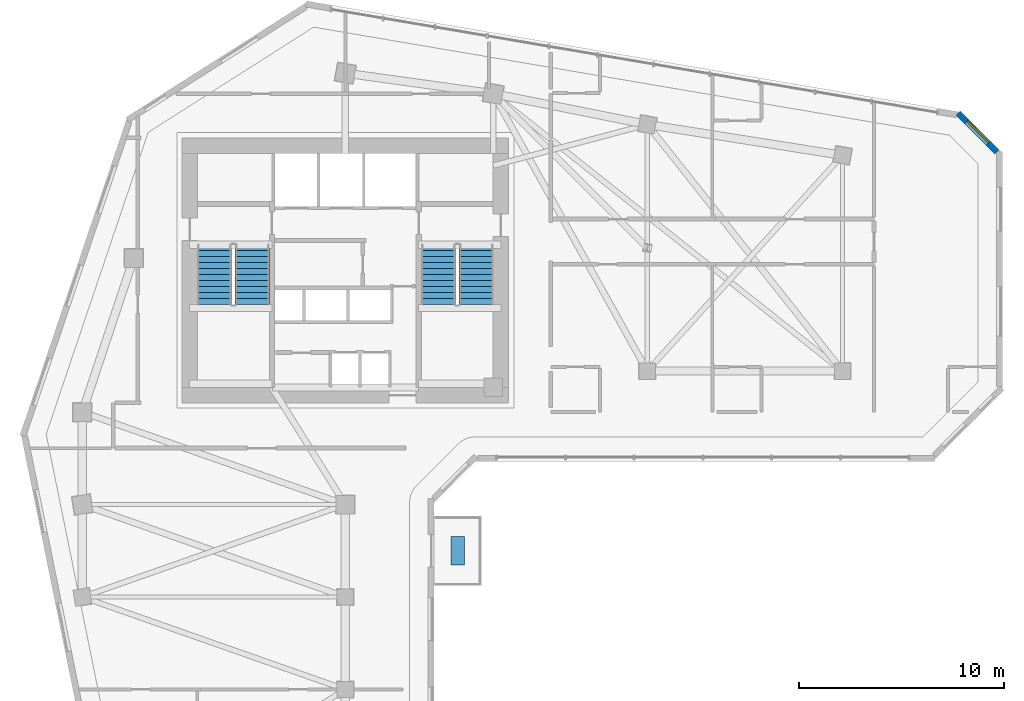
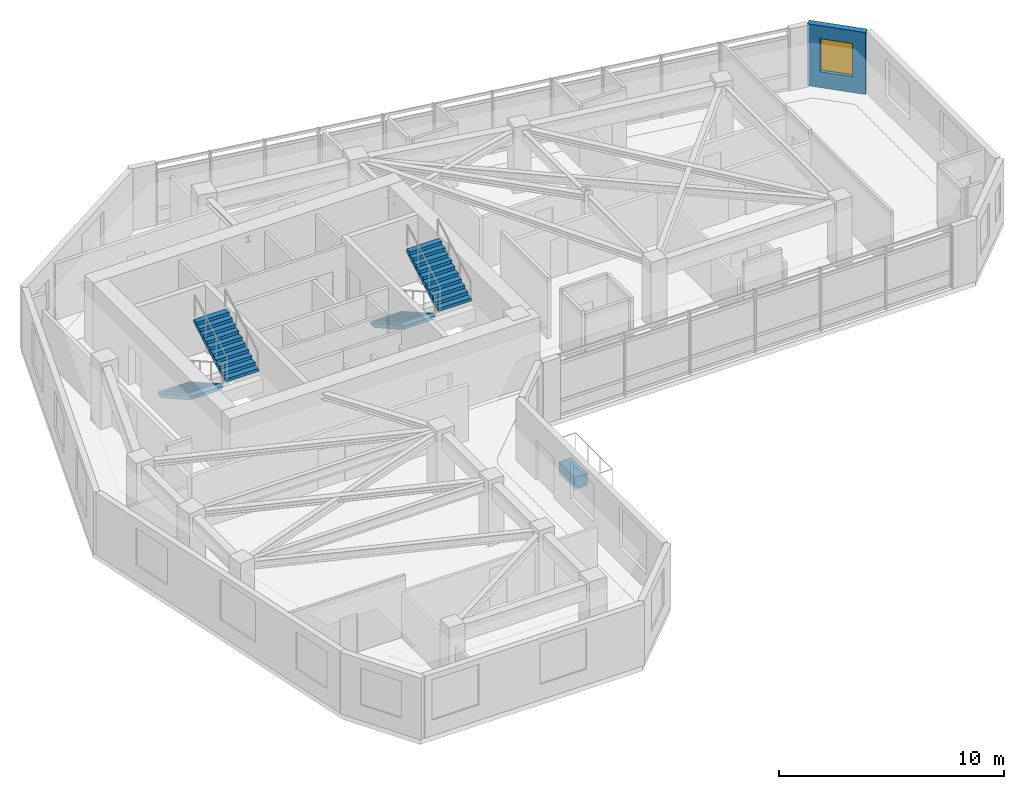
# One storey, part 7 of 10: 4 stair flights, 1 discrete accessory, 1 wall, 1 window, 1 opening, 2 elements without a shape of their own.
"""IFC4 building model written with IfcOpenShell, lengths in metres."""

from ifc_helpers import new_model, si_unit, direction, frame, frame_2d, origin, origin_2d, place, context, subcontext, project, spatial, polyline, rectangle, outline, extrude, source, transform, mapped, material, layer, layer_set, type_object, element, fill, aggregate, save


model = new_model("IFC4")

# Units and contexts
model_context = context("Model", 3, precision=1e-05, world=origin(), true_north=direction((0.0, 1.0)))
body_context = subcontext(model_context, "Body", "Model", "MODEL_VIEW")
ifc_project = project(units=[si_unit("LENGTHUNIT", "METRE"), si_unit("AREAUNIT", "SQUARE_METRE"), si_unit("VOLUMEUNIT", "CUBIC_METRE"), si_unit("PLANEANGLEUNIT", "RADIAN"), si_unit("MASSUNIT", "GRAM", prefix="KILO")], contexts=[model_context])

# Site, building, storey
site_placement = place(None, origin())
site = spatial("IfcSite", under=ifc_project, at=site_placement, CompositionType="ELEMENT")
building_placement = place(site_placement, origin())
building = spatial("IfcBuilding", under=site, at=building_placement, Name="Calvemar Wedge Station Tower", CompositionType="ELEMENT")
storey_placement = place(building_placement, frame((0.0, 0.0, 153.800048828125)))
storey = spatial("IfcBuildingStorey", under=building, at=storey_placement, Name="L38", CompositionType="ELEMENT", Elevation=153.800048828125)

# Wall, opening, window
ifc_material_1 = material(Name="Precast concrete C45", Category="concrete")
ifc_layer = layer(ifc_material_1, 0.300048828125)
ifc_layer_set = layer_set([ifc_layer], Name="Precast concrete C45")
wall_type = type_object("IfcWallType", Name="W-EXT-GFRC-300", PredefinedType="SOLIDWALL", material=ifc_layer_set)
wall_placement = place(storey_placement, frame((55.511962890625, 45.66796875, 0.0), z_axis=(0.0, 0.0, 1.0), x_axis=(-0.707152443695, 0.707061115729, 0.0)))
wall = element("IfcWall", 1, at=wall_placement, inside=storey, type_object=wall_type, Name="Storey L38 Bronze GFRC Exterior Wall 9", PredefinedType="SOLIDWALL", context=body_context, shape_type="SweptSolid", body=[
    extrude(rectangle(XDim=2.67333984375, YDim=0.300048828125, at=frame_2d((1.336669921875, 0.0))), origin(), (0.0, 0.0, 1.0), 3.349853515625),
])
shared_shape_1 = source(origin(), body_context, "Body", "SweptSolid", [
    extrude(rectangle(XDim=1.5, YDim=1.800048828125, at=frame_2d((0.75, 0.89990234375))), frame((0.0, 0.16015625, 0.0), z_axis=(0.0, -1.0, 0.0), x_axis=(1.0, 0.0, 0.0)), (0.0, 0.0, 1.0), 0.320068359375),
])
opening_placement = place(wall_placement, frame((0.5869140625, 0.0, 0.85009765625)))
opening = element("IfcOpeningElement", 2, at=opening_placement, cuts=wall, Name="Opening W3", PredefinedType="OPENING", context=body_context, shape_type="MappedRepresentation", body=[
    mapped(shared_shape_1, transform((0.0, 0.0, 0.0), scale=1.0)),
])
ifc_material_2 = material(Name="Low-E laminated insulated glass", Category="glass")
window_type = type_object("IfcWindowType", Name="WIN-EXT-3", PartitioningType="SINGLE_PANEL", PredefinedType="WINDOW", material=ifc_material_2)
shared_shape_2 = source(origin(), body_context, "Body", "SweptSolid", [
    extrude(rectangle(XDim=1.5, YDim=1.800048828125, at=frame_2d((0.75, 0.89990234375))), frame((0.0, -0.014892578125, 0.0), z_axis=(0.0, -1.0, 0.0), x_axis=(1.0, 0.0, 0.0)), (0.0, 0.0, 1.0), 0.06005859375),
])
window_placement = place(opening_placement, origin())
window = element("IfcWindow", 3, at=window_placement, inside=storey, type_object=window_type, Name="Storey L38 Recessed Window 9.1", OverallHeight=1.800048828125, OverallWidth=1.5, PartitioningType="SINGLE_PANEL", PredefinedType="WINDOW", context=body_context, shape_type="MappedRepresentation", body=[
    mapped(shared_shape_2, transform((0.0, 0.0, 0.0), scale=1.0)),
])
fill(opening, window)

# Stair, stair flights
ifc_material_3 = material(Name="Concrete C45", Category="concrete")
stair_type = type_object("IfcStairType", Name="ST-TYPE-3600", PredefinedType="HALF_TURN_STAIR", material=ifc_material_3)
stair_1_placement = place(storey_placement, origin())
stair_1 = element("IfcStair", 4, at=stair_1_placement, inside=storey, type_object=stair_type, Name="L38 Pressurized Core Exit Stair ST-C1", PredefinedType="HALF_TURN_STAIR")
stair_flight_type = type_object("IfcStairFlightType", Name="STF-TYPE-3600", PredefinedType="STRAIGHT", material=ifc_material_3)
stair_flight_1_placement = place(storey_placement, frame((17.429931640625, 41.14990234375, 0.0), z_axis=(0.0, 0.0, 1.0), x_axis=(0.0, -1.0, 0.0)))
stair_flight_1 = element("IfcStairFlight", 5, at=stair_flight_1_placement, type_object=stair_flight_type, Name="ST-C1 flight 1", NumberOfRisers=11, NumberOfTreads=10, PredefinedType="STRAIGHT", RiserHeight=0.163636364, TreadLength=0.29, context=body_context, shape_type="SweptSolid", body=[
    extrude(outline(polyline([(0.0, 0.0), (0.0, 0.16357421875), (0.2900390625, 0.16357421875), (0.2900390625, 0.327392578125), (0.580078125, 0.327392578125), (0.580078125, 0.490966796875), (0.8701171875, 0.490966796875), (0.8701171875, 0.654541015625), (1.159912109375, 0.654541015625), (1.159912109375, 0.818115234375), (1.449951171875, 0.818115234375), (1.449951171875, 0.98193359375), (1.739990234375, 0.98193359375), (1.739990234375, 1.1455078125), (2.030029296875, 1.1455078125), (2.030029296875, 1.30908203125), (2.320068359375, 1.30908203125), (2.320068359375, 1.47265625), (2.610107421875, 1.47265625), (2.610107421875, 1.636474609375), (2.89990234375, 1.636474609375), (2.89990234375, 1.800048828125), (2.89990234375, 1.46435546875), (0.304931640625, 0.0), (0.0, 0.0)])), frame((0.0, 0.830078125, 0.0), z_axis=(0.0, -1.0, 0.0), x_axis=(1.0, 0.0, 0.0)), (0.0, 0.0, 1.0), 1.659912109375),
])
stair_flight_2_placement = place(storey_placement, frame((19.27001953125, 38.25, 1.800048828125), z_axis=(0.0, 0.0, 1.0), x_axis=(0.0, 1.0, 0.0)))
stair_flight_2 = element("IfcStairFlight", 6, at=stair_flight_2_placement, type_object=stair_flight_type, Name="ST-C1 flight 2", NumberOfRisers=11, NumberOfTreads=10, PredefinedType="STRAIGHT", RiserHeight=0.163636364, TreadLength=0.29, context=body_context, shape_type="SweptSolid", body=[
    extrude(outline(polyline([(0.0, 0.0), (0.0, 0.16357421875), (0.2900390625, 0.16357421875), (0.2900390625, 0.327392578125), (0.580078125, 0.327392578125), (0.580078125, 0.490966796875), (0.8701171875, 0.490966796875), (0.8701171875, 0.654541015625), (1.159912109375, 0.654541015625), (1.159912109375, 0.818115234375), (1.449951171875, 0.818115234375), (1.449951171875, 0.98193359375), (1.739990234375, 0.98193359375), (1.739990234375, 1.1455078125), (2.030029296875, 1.1455078125), (2.030029296875, 1.30908203125), (2.320068359375, 1.30908203125), (2.320068359375, 1.47265625), (2.610107421875, 1.47265625), (2.610107421875, 1.636474609375), (2.89990234375, 1.636474609375), (2.89990234375, 1.800048828125), (2.89990234375, 1.46435546875), (0.304931640625, 0.0), (0.0, 0.0)])), frame((0.0, 0.830078125, 0.0), z_axis=(0.0, -1.0, 0.0), x_axis=(1.0, 0.0, 0.0)), (0.0, 0.0, 1.0), 1.659912109375),
])
aggregate(stair_1, [stair_flight_1, stair_flight_2])

stair_2_placement = place(storey_placement, origin())
stair_2 = element("IfcStair", 7, at=stair_2_placement, inside=storey, type_object=stair_type, Name="L38 Pressurized Core Exit Stair ST-C2", PredefinedType="HALF_TURN_STAIR")
stair_flight_3_placement = place(storey_placement, frame((28.330078125, 41.14990234375, 0.0), z_axis=(0.0, 0.0, 1.0), x_axis=(0.0, -1.0, 0.0)))
stair_flight_3 = element("IfcStairFlight", 8, at=stair_flight_3_placement, type_object=stair_flight_type, Name="ST-C2 flight 1", NumberOfRisers=11, NumberOfTreads=10, PredefinedType="STRAIGHT", RiserHeight=0.163636364, TreadLength=0.29, context=body_context, shape_type="SweptSolid", body=[
    extrude(outline(polyline([(0.0, 0.0), (0.0, 0.16357421875), (0.2900390625, 0.16357421875), (0.2900390625, 0.327392578125), (0.580078125, 0.327392578125), (0.580078125, 0.490966796875), (0.8701171875, 0.490966796875), (0.8701171875, 0.654541015625), (1.159912109375, 0.654541015625), (1.159912109375, 0.818115234375), (1.449951171875, 0.818115234375), (1.449951171875, 0.98193359375), (1.739990234375, 0.98193359375), (1.739990234375, 1.1455078125), (2.030029296875, 1.1455078125), (2.030029296875, 1.30908203125), (2.320068359375, 1.30908203125), (2.320068359375, 1.47265625), (2.610107421875, 1.47265625), (2.610107421875, 1.636474609375), (2.89990234375, 1.636474609375), (2.89990234375, 1.800048828125), (2.89990234375, 1.46435546875), (0.304931640625, 0.0), (0.0, 0.0)])), frame((0.0, 0.830078125, 0.0), z_axis=(0.0, -1.0, 0.0), x_axis=(1.0, 0.0, 0.0)), (0.0, 0.0, 1.0), 1.659912109375),
])
stair_flight_4_placement = place(storey_placement, frame((30.169921875, 38.25, 1.800048828125), z_axis=(0.0, 0.0, 1.0), x_axis=(0.0, 1.0, 0.0)))
stair_flight_4 = element("IfcStairFlight", 9, at=stair_flight_4_placement, type_object=stair_flight_type, Name="ST-C2 flight 2", NumberOfRisers=11, NumberOfTreads=10, PredefinedType="STRAIGHT", RiserHeight=0.163636364, TreadLength=0.29, context=body_context, shape_type="SweptSolid", body=[
    extrude(outline(polyline([(0.0, 0.0), (0.0, 0.16357421875), (0.2900390625, 0.16357421875), (0.2900390625, 0.327392578125), (0.580078125, 0.327392578125), (0.580078125, 0.490966796875), (0.8701171875, 0.490966796875), (0.8701171875, 0.654541015625), (1.159912109375, 0.654541015625), (1.159912109375, 0.818115234375), (1.449951171875, 0.818115234375), (1.449951171875, 0.98193359375), (1.739990234375, 0.98193359375), (1.739990234375, 1.1455078125), (2.030029296875, 1.1455078125), (2.030029296875, 1.30908203125), (2.320068359375, 1.30908203125), (2.320068359375, 1.47265625), (2.610107421875, 1.47265625), (2.610107421875, 1.636474609375), (2.89990234375, 1.636474609375), (2.89990234375, 1.800048828125), (2.89990234375, 1.46435546875), (0.304931640625, 0.0), (0.0, 0.0)])), frame((0.0, 0.830078125, 0.0), z_axis=(0.0, -1.0, 0.0), x_axis=(1.0, 0.0, 0.0)), (0.0, 0.0, 1.0), 1.659912109375),
])
aggregate(stair_2, [stair_flight_3, stair_flight_4])

# Discrete accessory
discrete_accessory_type = type_object("IfcDiscreteAccessoryType", Name="ACC-PLANTER", PredefinedType="USERDEFINED", material=ifc_material_1)
shared_shape_3 = source(origin(), body_context, "Body", "SweptSolid", [
    extrude(rectangle(XDim=0.64990234375, YDim=1.39990234375, at=origin_2d()), origin(), (0.0, 0.0, 1.0), 0.64990234375),
])
discrete_accessory_placement = place(storey_placement, frame((29.278076171875, 26.25, 0.0), z_axis=(0.0, 0.0, 1.0), x_axis=(1.0, 0.0, 0.0)))
element("IfcDiscreteAccessory", 10, at=discrete_accessory_placement, inside=storey, type_object=discrete_accessory_type, Name="Storey L38 Planted Terrace GFRC Planter", ObjectType="PLANTER", PredefinedType="USERDEFINED", context=body_context, shape_type="MappedRepresentation", body=[
    mapped(shared_shape_3, transform((0.0, 0.0, 0.0), scale=1.0)),
])

save(model, "model.ifc")
